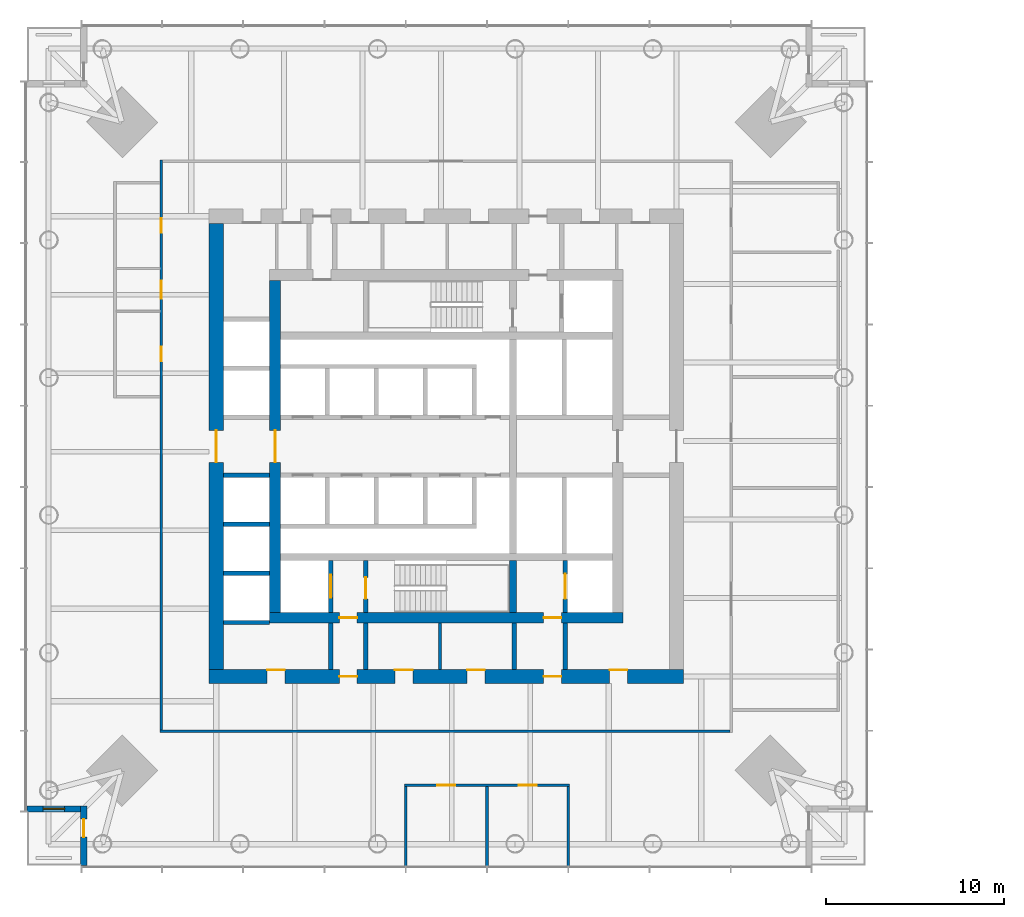
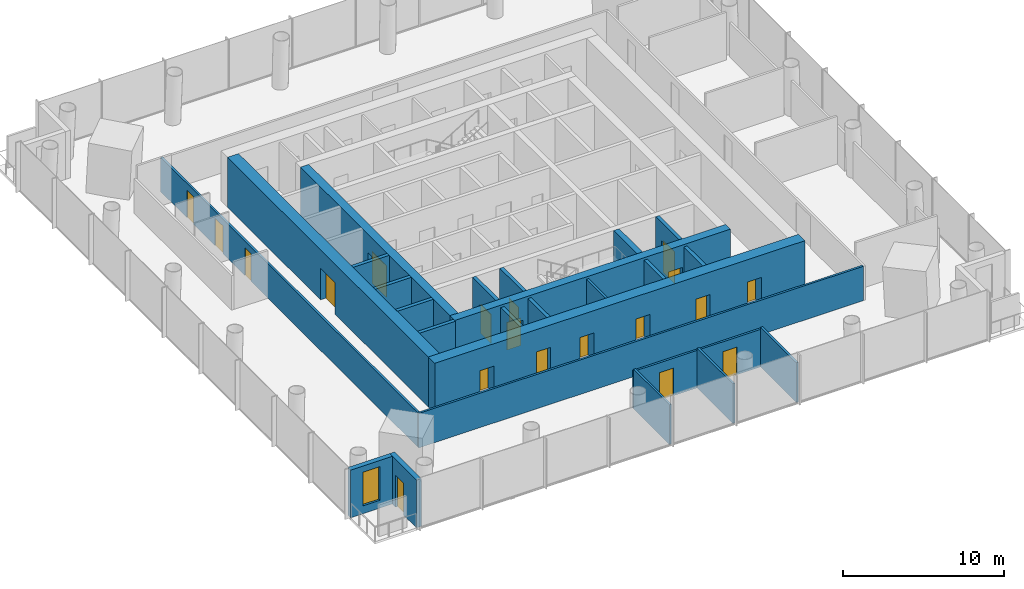
# One storey, part 9 of 18: 25 walls, 19 doors, 1 window, 20 openings.
"""IFC4 building model written with IfcOpenShell, lengths in metres."""

from ifc_helpers import new_model, si_unit, direction, frame, frame_2d, origin, place, context, subcontext, project, spatial, rectangle, extrude, material, layer, layer_set, type_object, element, fill, save


model = new_model("IFC4")

# Units and contexts
model_context = context("Model", 3, precision=1e-05, world=origin(), true_north=direction((0.0, 1.0)))
body_context = subcontext(model_context, "Body", "Model", "MODEL_VIEW")
ifc_project = project(units=[si_unit("LENGTHUNIT", "METRE"), si_unit("AREAUNIT", "SQUARE_METRE"), si_unit("VOLUMEUNIT", "CUBIC_METRE"), si_unit("PLANEANGLEUNIT", "RADIAN"), si_unit("MASSUNIT", "GRAM", prefix="KILO")], contexts=[model_context])

# Site, building, storey
site_placement = place(None, origin())
site = spatial("IfcSite", under=ifc_project, at=site_placement, CompositionType="ELEMENT")
building_placement = place(site_placement, origin())
building = spatial("IfcBuilding", under=site, at=building_placement, Name="Ostroluk Exchange", CompositionType="ELEMENT")
storey_placement = place(building_placement, frame((0.0, 0.0, 74.199951171875)))
storey = spatial("IfcBuildingStorey", under=building, at=storey_placement, Name="L18", CompositionType="ELEMENT", Elevation=74.199951171875)

# Walls
ifc_material_1 = material(Name="Concrete blockwork", Category="masonry")
ifc_layer_1 = layer(ifc_material_1, 0.14990234375)
ifc_layer_set_1 = layer_set([ifc_layer_1], Name="Blockwork plant room wall 150")
wall_type_1 = type_object("IfcWallType", Name="Blockwork plant room wall 150", PredefinedType="SOLIDWALL", material=ifc_layer_set_1)
wall_1_placement = place(storey_placement, frame((44.639892578125, 33.5, 0.0), z_axis=(0.0, 0.0, 1.0), x_axis=(0.0, 1.0, 0.0)))
element("IfcWall", 1, at=wall_1_placement, inside=storey, type_object=wall_type_1, Name="Core room wall", PredefinedType="SOLIDWALL", context=body_context, shape_type="SweptSolid", body=[
    extrude(rectangle(XDim=2.60009765625, YDim=0.14990234375, at=frame_2d((1.300048828125, 0.0))), origin(), (0.0, 0.0, 1.0), 3.6201171875),
])
ifc_material_2 = material(Name="Concrete blockwork", Category="masonry")
ifc_layer_2 = layer(ifc_material_2, 0.25)
ifc_layer_set_2 = layer_set([ifc_layer_2], Name="Blockwork stair enclosure wall 250")
wall_type_2 = type_object("IfcWallType", Name="Blockwork stair enclosure wall 250", PredefinedType="SOLIDWALL", material=ifc_layer_set_2)
for number, where, z_axis, x_axis, name in (
    (2, (38.52490234375, 33.5, 0.0), (0.0, 0.0, 1.0), (0.0, 1.0, 0.0), "Fire lobby enclosure wall"),
    (3, (40.47509765625, 33.5, 0.0), (0.0, 0.0, 1.0), (0.0, 1.0, 0.0), "Fire lobby enclosure wall"),
    (4, (48.804931640625, 33.5, 0.0), (0.0, 0.0, 1.0), (0.0, 1.0, 0.0), "Service lobby enclosure wall"),
    (5, (51.675048828125, 33.5, 0.0), (0.0, 0.0, 1.0), (0.0, 1.0, 0.0), "Service lobby enclosure wall"),
):
    element("IfcWall", number, at=place(storey_placement, frame(where, z_axis=z_axis, x_axis=x_axis)), inside=storey, type_object=wall_type_2, Name=name, PredefinedType="SOLIDWALL", context=body_context, shape_type="SweptSolid", body=[
        extrude(rectangle(XDim=2.60009765625, YDim=0.25, at=frame_2d((1.300048828125, 0.0))), origin(), (0.0, 0.0, 1.0), 3.6201171875),
    ])
ifc_material_3 = material(Name="Concrete C50/60", Category="concrete")
ifc_layer_3 = layer(ifc_material_3, 0.39990234375)
ifc_layer_set_3 = layer_set([ifc_layer_3], Name="Core cross wall 400 C50/60")
wall_type_3 = type_object("IfcWallType", Name="Core cross wall 400 C50/60", PredefinedType="SHEAR", material=ifc_layer_set_3)
wall_2_placement = place(storey_placement, frame((48.72998046875, 36.699951171875, 0.0), z_axis=(0.0, 0.0, 1.0), x_axis=(0.0, 1.0, 0.0)))
element("IfcWall", 6, at=wall_2_placement, inside=storey, type_object=wall_type_3, Name="T1 core wall YE1", PredefinedType="SHEAR", context=body_context, shape_type="SweptSolid", body=[
    extrude(rectangle(XDim=2.900146484375, YDim=0.39990234375, at=frame_2d((1.4501953125, 0.0))), origin(), (0.0, 0.0, 1.0), 3.800048828125),
])

# Wall, opening, door
ifc_material_4 = material(Name="Concrete C40/50", Category="concrete")
ifc_layer_4 = layer(ifc_material_4, 0.25)
ifc_layer_set_4 = layer_set([ifc_layer_4], Name="Core shaft wall 250")
wall_type_4 = type_object("IfcWallType", Name="Core shaft wall 250", PredefinedType="SHEAR", material=ifc_layer_set_4)
wall_3_placement = place(storey_placement, frame((38.52490234375, 36.699951171875, 0.0), z_axis=(0.0, 0.0, 1.0), x_axis=(0.0, 1.0, 0.0)))
wall_3 = element("IfcWall", 7, at=wall_3_placement, inside=storey, type_object=wall_type_4, Name="Firefighting lift shaft wall", PredefinedType="SHEAR", context=body_context, shape_type="SweptSolid", body=[
    extrude(rectangle(XDim=2.900146484375, YDim=0.25, at=frame_2d((1.4501953125, 0.0))), origin(), (0.0, 0.0, 1.0), 3.800048828125),
])
opening_1_placement = place(wall_3_placement, frame((0.800048828125, 0.0, 0.0)))
opening_1 = element("IfcOpeningElement", 8, at=opening_1_placement, cuts=wall_3, Name="Opening LD2", PredefinedType="OPENING", context=body_context, shape_type="SweptSolid", body=[
    extrude(rectangle(XDim=1.300048828125, YDim=2.199951171875, at=frame_2d((0.64990234375, 1.10009765625))), frame((0.0, 0.135009765625, 0.0), z_axis=(0.0, -1.0, 0.0), x_axis=(1.0, 0.0, 0.0)), (0.0, 0.0, 1.0), 0.27001953125),
])
ifc_material_5 = material(Name="Stainless steel", Category="steel")
door_type_1 = type_object("IfcDoorType", Name="Lift landing door E 60 1300 x 2200", OperationType="DOUBLE_DOOR_SLIDING", PredefinedType="DOOR", material=ifc_material_5)
door_1_placement = place(opening_1_placement, origin())
door_1 = element("IfcDoor", 9, at=door_1_placement, inside=storey, type_object=door_type_1, Name="Lift FL1 landing door", OperationType="DOUBLE_DOOR_SLIDING", OverallHeight=2.199951171875, OverallWidth=1.300048828125, PredefinedType="DOOR", context=body_context, shape_type="SweptSolid", body=[
    extrude(rectangle(XDim=1.300048828125, YDim=2.199951171875, at=frame_2d((0.64990234375, 1.10009765625))), frame((0.0, 0.02490234375, 0.0), z_axis=(0.0, -1.0, 0.0), x_axis=(1.0, 0.0, 0.0)), (0.0, 0.0, 1.0), 0.050048828125),
])
fill(opening_1, door_1)

wall_4_placement = place(storey_placement, frame((40.47509765625, 36.699951171875, 0.0), z_axis=(0.0, 0.0, 1.0), x_axis=(0.0, 1.0, 0.0)))
wall_4 = element("IfcWall", 10, at=wall_4_placement, inside=storey, type_object=wall_type_4, Name="Stair shaft wall", PredefinedType="SHEAR", context=body_context, shape_type="SweptSolid", body=[
    extrude(rectangle(XDim=2.900146484375, YDim=0.25, at=frame_2d((1.4501953125, 0.0))), origin(), (0.0, 0.0, 1.0), 3.800048828125),
])
opening_2_placement = place(wall_4_placement, frame((0.75, 0.0, 0.0)))
opening_2 = element("IfcOpeningElement", 11, at=opening_2_placement, cuts=wall_4, Name="Opening FD60S", PredefinedType="OPENING", context=body_context, shape_type="SweptSolid", body=[
    extrude(rectangle(XDim=1.199951171875, YDim=2.10009765625, at=frame_2d((0.60009765625, 1.050048828125))), frame((0.0, 0.135009765625, 0.0), z_axis=(0.0, -1.0, 0.0), x_axis=(1.0, 0.0, 0.0)), (0.0, 0.0, 1.0), 0.27001953125),
])
ifc_material_6 = material(Name="Steel", Category="steel")
door_type_2 = type_object("IfcDoorType", Name="Stair door EI 60 1200 x 2100", OperationType="SINGLE_SWING_LEFT", PredefinedType="DOOR", material=ifc_material_6)
door_2_placement = place(opening_2_placement, origin())
door_2 = element("IfcDoor", 12, at=door_2_placement, inside=storey, type_object=door_type_2, Name="Stair T1-S1 door", OperationType="SINGLE_SWING_LEFT", OverallHeight=2.10009765625, OverallWidth=1.199951171875, PredefinedType="DOOR", context=body_context, shape_type="SweptSolid", body=[
    extrude(rectangle(XDim=1.199951171875, YDim=2.10009765625, at=frame_2d((0.60009765625, 1.050048828125))), frame((0.0, 0.02490234375, 0.0), z_axis=(0.0, -1.0, 0.0), x_axis=(1.0, 0.0, 0.0)), (0.0, 0.0, 1.0), 0.050048828125),
])
fill(opening_2, door_2)

wall_5_placement = place(storey_placement, frame((51.675048828125, 36.699951171875, 0.0), z_axis=(0.0, 0.0, 1.0), x_axis=(0.0, 1.0, 0.0)))
wall_5 = element("IfcWall", 13, at=wall_5_placement, inside=storey, type_object=wall_type_4, Name="Service lift shaft wall", PredefinedType="SHEAR", context=body_context, shape_type="SweptSolid", body=[
    extrude(rectangle(XDim=2.900146484375, YDim=0.25, at=frame_2d((1.4501953125, 0.0))), origin(), (0.0, 0.0, 1.0), 3.800048828125),
])
opening_3_placement = place(wall_5_placement, frame((0.75, 0.0, 0.0)))
opening_3 = element("IfcOpeningElement", 14, at=opening_3_placement, cuts=wall_5, Name="Opening LD3", PredefinedType="OPENING", context=body_context, shape_type="SweptSolid", body=[
    extrude(rectangle(XDim=1.39990234375, YDim=2.39990234375, at=frame_2d((0.699951171875, 1.199951171875))), frame((0.0, 0.135009765625, 0.0), z_axis=(0.0, -1.0, 0.0), x_axis=(1.0, 0.0, 0.0)), (0.0, 0.0, 1.0), 0.27001953125),
])
ifc_material_7 = material(Name="Stainless steel", Category="steel")
door_type_3 = type_object("IfcDoorType", Name="Goods lift landing door E 60 1400 x 2400", OperationType="DOUBLE_DOOR_SLIDING", PredefinedType="DOOR", material=ifc_material_7)
door_3_placement = place(opening_3_placement, origin())
door_3 = element("IfcDoor", 15, at=door_3_placement, inside=storey, type_object=door_type_3, Name="Lift SL1 landing door", OperationType="DOUBLE_DOOR_SLIDING", OverallHeight=2.39990234375, OverallWidth=1.39990234375, PredefinedType="DOOR", context=body_context, shape_type="SweptSolid", body=[
    extrude(rectangle(XDim=1.39990234375, YDim=2.39990234375, at=frame_2d((0.699951171875, 1.199951171875))), frame((0.0, 0.02490234375, 0.0), z_axis=(0.0, -1.0, 0.0), x_axis=(1.0, 0.0, 0.0)), (0.0, 0.0, 1.0), 0.050048828125),
])
fill(opening_3, door_3)

# Walls
for number, where, z_axis, x_axis, name in (
    (16, (32.5, 36.125, 0.0), (0.0, 0.0, 1.0), (1.0, 0.0, 0.0), "Lift shaft wall"),
    (17, (32.5, 38.875, 0.0), (0.0, 0.0, 1.0), (1.0, 0.0, 0.0), "Lift shaft wall"),
    (18, (32.5, 41.625, 0.0), (0.0, 0.0, 1.0), (1.0, 0.0, 0.0), "Lift shaft wall"),
    (19, (32.5, 44.375, 0.0), (0.0, 0.0, 1.0), (1.0, 0.0, 0.0), "Lift shaft wall"),
):
    element("IfcWall", number, at=place(storey_placement, frame(where, z_axis=z_axis, x_axis=x_axis)), inside=storey, type_object=wall_type_4, Name=name, PredefinedType="SHEAR", context=body_context, shape_type="SweptSolid", body=[
        extrude(rectangle(XDim=2.60009765625, YDim=0.25, at=frame_2d((1.300048828125, 0.0))), origin(), (0.0, 0.0, 1.0), 3.800048828125),
    ])

# Wall, openings, doors
ifc_material_8 = material(Name="Concrete C50/60", Category="concrete")
ifc_layer_5 = layer(ifc_material_8, 0.60009765625)
ifc_layer_set_5 = layer_set([ifc_layer_5], Name="Core wall 600 C50/60")
wall_type_5 = type_object("IfcWallType", Name="Core wall 600 C50/60", PredefinedType="SHEAR", material=ifc_layer_set_5)
wall_6_placement = place(storey_placement, frame((35.10009765625, 36.39990234375, 0.0), z_axis=(0.0, 0.0, 1.0), x_axis=(1.0, 0.0, 0.0)))
wall_6 = element("IfcWall", 20, at=wall_6_placement, inside=storey, type_object=wall_type_5, Name="T1 core wall S", PredefinedType="SHEAR", context=body_context, shape_type="SweptSolid", body=[
    extrude(rectangle(XDim=19.7998046875, YDim=0.60009765625, at=frame_2d((9.89990234375, 0.0))), origin(), (0.0, 0.0, 1.0), 3.800048828125),
])
opening_4_placement = place(wall_6_placement, frame((3.89990234375, 0.0, 0.0)))
opening_4 = element("IfcOpeningElement", 21, at=opening_4_placement, cuts=wall_6, Name="Opening FD60", PredefinedType="OPENING", context=body_context, shape_type="SweptSolid", body=[
    extrude(rectangle(XDim=1.0, YDim=2.10009765625, at=frame_2d((0.5, 1.050048828125))), frame((0.0, 0.31005859375, 0.0), z_axis=(0.0, -1.0, 0.0), x_axis=(1.0, 0.0, 0.0)), (0.0, 0.0, 1.0), 0.6201171875),
])
opening_5_placement = place(wall_6_placement, frame((15.35009765625, 0.0, 0.0)))
opening_5 = element("IfcOpeningElement", 22, at=opening_5_placement, cuts=wall_6, Name="Opening FD60", PredefinedType="OPENING", context=body_context, shape_type="SweptSolid", body=[
    extrude(rectangle(XDim=1.0, YDim=2.10009765625, at=frame_2d((0.5, 1.050048828125))), frame((0.0, 0.31005859375, 0.0), z_axis=(0.0, -1.0, 0.0), x_axis=(1.0, 0.0, 0.0)), (0.0, 0.0, 1.0), 0.6201171875),
])
ifc_material_9 = material(Name="Steel", Category="steel")
door_type_4 = type_object("IfcDoorType", Name="Fire door EI 60 1000 x 2100", OperationType="SINGLE_SWING_LEFT", PredefinedType="DOOR", material=ifc_material_9)
door_4_placement = place(opening_4_placement, origin())
door_4 = element("IfcDoor", 23, at=door_4_placement, inside=storey, type_object=door_type_4, Name="Firefighting lobby door", OperationType="SINGLE_SWING_LEFT", OverallHeight=2.10009765625, OverallWidth=1.0, PredefinedType="DOOR", context=body_context, shape_type="SweptSolid", body=[
    extrude(rectangle(XDim=1.0, YDim=2.10009765625, at=frame_2d((0.5, 1.050048828125))), frame((0.0, 0.02490234375, 0.0), z_axis=(0.0, -1.0, 0.0), x_axis=(1.0, 0.0, 0.0)), (0.0, 0.0, 1.0), 0.050048828125),
])
fill(opening_4, door_4)
door_5_placement = place(opening_5_placement, origin())
door_5 = element("IfcDoor", 24, at=door_5_placement, inside=storey, type_object=door_type_4, Name="Service lobby door", OperationType="SINGLE_SWING_RIGHT", OverallHeight=2.10009765625, OverallWidth=1.0, PredefinedType="DOOR", context=body_context, shape_type="SweptSolid", body=[
    extrude(rectangle(XDim=1.0, YDim=2.10009765625, at=frame_2d((0.5, 1.050048828125))), frame((0.0, 0.02490234375, 0.0), z_axis=(0.0, -1.0, 0.0), x_axis=(1.0, 0.0, 0.0)), (0.0, 0.0, 1.0), 0.050048828125),
])
fill(opening_5, door_5)

# Wall, opening, door
wall_7_placement = place(storey_placement, frame((35.39990234375, 36.699951171875, 0.0), z_axis=(0.0, 0.0, 1.0), x_axis=(0.0, 1.0, 0.0)))
wall_7 = element("IfcWall", 25, at=wall_7_placement, inside=storey, type_object=wall_type_5, Name="T1 core wall W", PredefinedType="SHEAR", context=body_context, shape_type="SweptSolid", body=[
    extrude(rectangle(XDim=18.60009765625, YDim=0.60009765625, at=frame_2d((9.300048828125, 0.0))), origin(), (0.0, 0.0, 1.0), 3.800048828125),
])
opening_6_placement = place(wall_7_placement, frame((8.39990234375, 0.0, 0.0)))
opening_6 = element("IfcOpeningElement", 26, at=opening_6_placement, cuts=wall_7, Name="Opening FD30D", PredefinedType="OPENING", context=body_context, shape_type="SweptSolid", body=[
    extrude(rectangle(XDim=1.800048828125, YDim=2.39990234375, at=frame_2d((0.89990234375, 1.199951171875))), frame((0.0, 0.31005859375, 0.0), z_axis=(0.0, -1.0, 0.0), x_axis=(1.0, 0.0, 0.0)), (0.0, 0.0, 1.0), 0.6201171875),
])
ifc_material_10 = material(Name="Timber", Category="wood")
door_type_5 = type_object("IfcDoorType", Name="Lobby double door EI 30 1800 x 2400", OperationType="DOUBLE_DOOR_SINGLE_SWING", PredefinedType="DOOR", material=ifc_material_10)
door_6_placement = place(opening_6_placement, origin())
door_6 = element("IfcDoor", 27, at=door_6_placement, inside=storey, type_object=door_type_5, Name="Lift lobby doors", OperationType="DOUBLE_DOOR_SINGLE_SWING", OverallHeight=2.39990234375, OverallWidth=1.800048828125, PredefinedType="DOOR", context=body_context, shape_type="SweptSolid", body=[
    extrude(rectangle(XDim=1.800048828125, YDim=2.39990234375, at=frame_2d((0.89990234375, 1.199951171875))), frame((0.0, 0.02490234375, 0.0), z_axis=(0.0, -1.0, 0.0), x_axis=(1.0, 0.0, 0.0)), (0.0, 0.0, 1.0), 0.050048828125),
])
fill(opening_6, door_6)

# Wall, openings, doors
ifc_material_11 = material(Name="Concrete C50/60", Category="concrete")
ifc_layer_6 = layer(ifc_material_11, 0.800048828125)
ifc_layer_set_6 = layer_set([ifc_layer_6], Name="Core wall 800 C50/60")
wall_type_6 = type_object("IfcWallType", Name="Core wall 800 C50/60", PredefinedType="SHEAR", material=ifc_layer_set_6)
wall_8_placement = place(storey_placement, frame((31.699951171875, 33.10009765625, 0.0), z_axis=(0.0, 0.0, 1.0), x_axis=(1.0, 0.0, 0.0)))
wall_8 = element("IfcWall", 28, at=wall_8_placement, inside=storey, type_object=wall_type_6, Name="T1 core wall RS", PredefinedType="SHEAR", context=body_context, shape_type="SweptSolid", body=[
    extrude(rectangle(XDim=26.60009765625, YDim=0.800048828125, at=frame_2d((13.300048828125, 0.0))), origin(), (0.0, 0.0, 1.0), 3.800048828125),
])
opening_7_placement = place(wall_8_placement, frame((7.300048828125, 0.0, 0.0)))
opening_7 = element("IfcOpeningElement", 29, at=opening_7_placement, cuts=wall_8, Name="Opening FD60", PredefinedType="OPENING", context=body_context, shape_type="SweptSolid", body=[
    extrude(rectangle(XDim=1.0, YDim=2.10009765625, at=frame_2d((0.5, 1.050048828125))), frame((0.0, 0.409912109375, 0.0), z_axis=(0.0, -1.0, 0.0), x_axis=(1.0, 0.0, 0.0)), (0.0, 0.0, 1.0), 0.820068359375),
])
opening_8_placement = place(wall_8_placement, frame((18.75, 0.0, 0.0)))
opening_8 = element("IfcOpeningElement", 30, at=opening_8_placement, cuts=wall_8, Name="Opening FD60", PredefinedType="OPENING", context=body_context, shape_type="SweptSolid", body=[
    extrude(rectangle(XDim=1.0, YDim=2.10009765625, at=frame_2d((0.5, 1.050048828125))), frame((0.0, 0.409912109375, 0.0), z_axis=(0.0, -1.0, 0.0), x_axis=(1.0, 0.0, 0.0)), (0.0, 0.0, 1.0), 0.820068359375),
])
opening_9_placement = place(wall_8_placement, frame((3.25, 0.0, 0.0)))
opening_9 = element("IfcOpeningElement", 31, at=opening_9_placement, cuts=wall_8, Name="Opening FD60", PredefinedType="OPENING", context=body_context, shape_type="SweptSolid", body=[
    extrude(rectangle(XDim=1.0, YDim=2.10009765625, at=frame_2d((0.5, 1.050048828125))), frame((0.0, 0.409912109375, 0.0), z_axis=(0.0, -1.0, 0.0), x_axis=(1.0, 0.0, 0.0)), (0.0, 0.0, 1.0), 0.820068359375),
])
opening_10_placement = place(wall_8_placement, frame((10.419921875, 0.0, 0.0)))
opening_10 = element("IfcOpeningElement", 32, at=opening_10_placement, cuts=wall_8, Name="Opening FD60", PredefinedType="OPENING", context=body_context, shape_type="SweptSolid", body=[
    extrude(rectangle(XDim=1.0, YDim=2.10009765625, at=frame_2d((0.5, 1.050048828125))), frame((0.0, 0.409912109375, 0.0), z_axis=(0.0, -1.0, 0.0), x_axis=(1.0, 0.0, 0.0)), (0.0, 0.0, 1.0), 0.820068359375),
])
opening_11_placement = place(wall_8_placement, frame((14.4599609375, 0.0, 0.0)))
opening_11 = element("IfcOpeningElement", 33, at=opening_11_placement, cuts=wall_8, Name="Opening FD60", PredefinedType="OPENING", context=body_context, shape_type="SweptSolid", body=[
    extrude(rectangle(XDim=1.0, YDim=2.10009765625, at=frame_2d((0.5, 1.050048828125))), frame((0.0, 0.409912109375, 0.0), z_axis=(0.0, -1.0, 0.0), x_axis=(1.0, 0.0, 0.0)), (0.0, 0.0, 1.0), 0.820068359375),
])
opening_12_placement = place(wall_8_placement, frame((22.449951171875, 0.0, 0.0)))
opening_12 = element("IfcOpeningElement", 34, at=opening_12_placement, cuts=wall_8, Name="Opening FD60", PredefinedType="OPENING", context=body_context, shape_type="SweptSolid", body=[
    extrude(rectangle(XDim=1.0, YDim=2.10009765625, at=frame_2d((0.5, 1.050048828125))), frame((0.0, 0.409912109375, 0.0), z_axis=(0.0, -1.0, 0.0), x_axis=(1.0, 0.0, 0.0)), (0.0, 0.0, 1.0), 0.820068359375),
])
door_7_placement = place(opening_7_placement, origin())
door_7 = element("IfcDoor", 35, at=door_7_placement, inside=storey, type_object=door_type_4, Name="Firefighting lobby door", OperationType="SINGLE_SWING_LEFT", OverallHeight=2.10009765625, OverallWidth=1.0, PredefinedType="DOOR", context=body_context, shape_type="SweptSolid", body=[
    extrude(rectangle(XDim=1.0, YDim=2.10009765625, at=frame_2d((0.5, 1.050048828125))), frame((0.0, 0.02490234375, 0.0), z_axis=(0.0, -1.0, 0.0), x_axis=(1.0, 0.0, 0.0)), (0.0, 0.0, 1.0), 0.050048828125),
])
fill(opening_7, door_7)
door_8_placement = place(opening_8_placement, origin())
door_8 = element("IfcDoor", 36, at=door_8_placement, inside=storey, type_object=door_type_4, Name="Service lobby door", OperationType="SINGLE_SWING_RIGHT", OverallHeight=2.10009765625, OverallWidth=1.0, PredefinedType="DOOR", context=body_context, shape_type="SweptSolid", body=[
    extrude(rectangle(XDim=1.0, YDim=2.10009765625, at=frame_2d((0.5, 1.050048828125))), frame((0.0, 0.02490234375, 0.0), z_axis=(0.0, -1.0, 0.0), x_axis=(1.0, 0.0, 0.0)), (0.0, 0.0, 1.0), 0.050048828125),
])
fill(opening_8, door_8)
door_9_placement = place(opening_9_placement, origin())
door_9 = element("IfcDoor", 37, at=door_9_placement, inside=storey, type_object=door_type_4, Name="Archive door", OperationType="SINGLE_SWING_LEFT", OverallHeight=2.10009765625, OverallWidth=1.0, PredefinedType="DOOR", context=body_context, shape_type="SweptSolid", body=[
    extrude(rectangle(XDim=1.0, YDim=2.10009765625, at=frame_2d((0.5, 1.050048828125))), frame((0.0, 0.39013671875, 0.0), z_axis=(0.0, -1.0, 0.0), x_axis=(1.0, 0.0, 0.0)), (0.0, 0.0, 1.0), 0.050048828125),
])
fill(opening_9, door_9)
door_10_placement = place(opening_10_placement, origin())
door_10 = element("IfcDoor", 38, at=door_10_placement, inside=storey, type_object=door_type_4, Name="Tea point door", OperationType="SINGLE_SWING_LEFT", OverallHeight=2.10009765625, OverallWidth=1.0, PredefinedType="DOOR", context=body_context, shape_type="SweptSolid", body=[
    extrude(rectangle(XDim=1.0, YDim=2.10009765625, at=frame_2d((0.5, 1.050048828125))), frame((0.0, 0.39013671875, 0.0), z_axis=(0.0, -1.0, 0.0), x_axis=(1.0, 0.0, 0.0)), (0.0, 0.0, 1.0), 0.050048828125),
])
fill(opening_10, door_10)
door_11_placement = place(opening_11_placement, origin())
door_11 = element("IfcDoor", 39, at=door_11_placement, inside=storey, type_object=door_type_4, Name="Print and post room door", OperationType="SINGLE_SWING_RIGHT", OverallHeight=2.10009765625, OverallWidth=1.0, PredefinedType="DOOR", context=body_context, shape_type="SweptSolid", body=[
    extrude(rectangle(XDim=1.0, YDim=2.10009765625, at=frame_2d((0.5, 1.050048828125))), frame((0.0, 0.39013671875, 0.0), z_axis=(0.0, -1.0, 0.0), x_axis=(1.0, 0.0, 0.0)), (0.0, 0.0, 1.0), 0.050048828125),
])
fill(opening_11, door_11)
door_12_placement = place(opening_12_placement, origin())
door_12 = element("IfcDoor", 40, at=door_12_placement, inside=storey, type_object=door_type_4, Name="Tenant IT room door", OperationType="SINGLE_SWING_RIGHT", OverallHeight=2.10009765625, OverallWidth=1.0, PredefinedType="DOOR", context=body_context, shape_type="SweptSolid", body=[
    extrude(rectangle(XDim=1.0, YDim=2.10009765625, at=frame_2d((0.5, 1.050048828125))), frame((0.0, 0.39013671875, 0.0), z_axis=(0.0, -1.0, 0.0), x_axis=(1.0, 0.0, 0.0)), (0.0, 0.0, 1.0), 0.050048828125),
])
fill(opening_12, door_12)

# Wall, opening, door
wall_9_placement = place(storey_placement, frame((32.10009765625, 33.5, 0.0), z_axis=(0.0, 0.0, 1.0), x_axis=(0.0, 1.0, 0.0)))
wall_9 = element("IfcWall", 41, at=wall_9_placement, inside=storey, type_object=wall_type_6, Name="T1 core wall RW", PredefinedType="SHEAR", context=body_context, shape_type="SweptSolid", body=[
    extrude(rectangle(XDim=25.0, YDim=0.800048828125, at=frame_2d((12.5, 0.0))), origin(), (0.0, 0.0, 1.0), 3.800048828125),
])
opening_13_placement = place(wall_9_placement, frame((11.60009765625, 0.0, 0.0)))
opening_13 = element("IfcOpeningElement", 42, at=opening_13_placement, cuts=wall_9, Name="Opening FD30D", PredefinedType="OPENING", context=body_context, shape_type="SweptSolid", body=[
    extrude(rectangle(XDim=1.800048828125, YDim=2.39990234375, at=frame_2d((0.89990234375, 1.199951171875))), frame((0.0, 0.409912109375, 0.0), z_axis=(0.0, -1.0, 0.0), x_axis=(1.0, 0.0, 0.0)), (0.0, 0.0, 1.0), 0.820068359375),
])
door_13_placement = place(opening_13_placement, origin())
door_13 = element("IfcDoor", 43, at=door_13_placement, inside=storey, type_object=door_type_5, Name="Lift lobby doors", OperationType="DOUBLE_DOOR_SINGLE_SWING", OverallHeight=2.39990234375, OverallWidth=1.800048828125, PredefinedType="DOOR", context=body_context, shape_type="SweptSolid", body=[
    extrude(rectangle(XDim=1.800048828125, YDim=2.39990234375, at=frame_2d((0.89990234375, 1.199951171875))), frame((0.0, 0.02490234375, 0.0), z_axis=(0.0, -1.0, 0.0), x_axis=(1.0, 0.0, 0.0)), (0.0, 0.0, 1.0), 0.050048828125),
])
fill(opening_13, door_13)

ifc_material_12 = material(Name="Limestone", Category="masonry")
ifc_layer_7 = layer(ifc_material_12, 0.35009765625)
ifc_layer_set_7 = layer_set([ifc_layer_7], Name="Limestone facade wall 350")
wall_type_7 = type_object("IfcWallType", Name="Limestone facade wall 350", PredefinedType="SOLIDWALL", material=ifc_layer_set_7)
wall_10_placement = place(storey_placement, frame((24.675048828125, 22.5, 0.0), z_axis=(0.0, 0.0, 1.0), x_axis=(0.0, 1.0, 0.0)))
wall_10 = element("IfcWall", 44, at=wall_10_placement, inside=storey, type_object=wall_type_7, Name="Office tower SW corner wall L18 a", PredefinedType="SOLIDWALL", context=body_context, shape_type="SweptSolid", body=[
    extrude(rectangle(XDim=3.35009765625, YDim=0.35009765625, at=frame_2d((1.675048828125, 0.0))), origin(), (0.0, 0.0, 1.0), 3.6201171875),
])
opening_14_placement = place(wall_10_placement, frame((1.60009765625, 0.0, 0.0)))
opening_14 = element("IfcOpeningElement", 45, at=opening_14_placement, cuts=wall_10, Name="Opening D-B1", PredefinedType="OPENING", context=body_context, shape_type="SweptSolid", body=[
    extrude(rectangle(XDim=1.0, YDim=2.39990234375, at=frame_2d((0.5, 1.199951171875))), frame((0.0, 0.18505859375, 0.0), z_axis=(0.0, -1.0, 0.0), x_axis=(1.0, 0.0, 0.0)), (0.0, 0.0, 1.0), 0.3701171875),
])
ifc_material_13 = material(Name="Bronze framed glazed door", Category="aluminium")
door_type_6 = type_object("IfcDoorType", Name="Balcony door 1000 x 2400", OperationType="SINGLE_SWING_LEFT", PredefinedType="DOOR", material=ifc_material_13)
door_14_placement = place(opening_14_placement, origin())
door_14 = element("IfcDoor", 46, at=door_14_placement, inside=storey, type_object=door_type_6, Name="Office tower SW balcony door L18", OperationType="SINGLE_SWING_RIGHT", OverallHeight=2.39990234375, OverallWidth=1.0, PredefinedType="DOOR", context=body_context, shape_type="SweptSolid", body=[
    extrude(rectangle(XDim=1.0, YDim=2.39990234375, at=frame_2d((0.5, 1.199951171875))), frame((0.0, 0.02490234375, 0.0), z_axis=(0.0, -1.0, 0.0), x_axis=(1.0, 0.0, 0.0)), (0.0, 0.0, 1.0), 0.050048828125),
])
fill(opening_14, door_14)

# Wall, opening, window
wall_11_placement = place(storey_placement, frame((24.5, 25.675048828125, 0.0), z_axis=(0.0, 0.0, 1.0), x_axis=(-1.0, 0.0, 0.0)))
wall_11 = element("IfcWall", 47, at=wall_11_placement, inside=storey, type_object=wall_type_7, Name="Office tower SW corner wall L18 b", PredefinedType="SOLIDWALL", context=body_context, shape_type="SweptSolid", body=[
    extrude(rectangle(XDim=3.0, YDim=0.35009765625, at=frame_2d((1.5, 0.0))), origin(), (0.0, 0.0, 1.0), 3.6201171875),
])
opening_15_placement = place(wall_11_placement, frame((0.89990234375, 0.0, 0.60009765625)))
opening_15 = element("IfcOpeningElement", 48, at=opening_15_placement, cuts=wall_11, Name="Opening WN-L1", PredefinedType="OPENING", context=body_context, shape_type="SweptSolid", body=[
    extrude(rectangle(XDim=1.199951171875, YDim=2.550048828125, at=frame_2d((0.60009765625, 1.27490234375))), frame((0.0, 0.18505859375, 0.0), z_axis=(0.0, -1.0, 0.0), x_axis=(1.0, 0.0, 0.0)), (0.0, 0.0, 1.0), 0.3701171875),
])
ifc_material_14 = material(Name="Laminated clear glass", Category="glass")
window_type = type_object("IfcWindowType", Name="Lancet window 1200 x 2550", PartitioningType="SINGLE_PANEL", PredefinedType="WINDOW", material=ifc_material_14)
window_placement = place(opening_15_placement, origin())
window = element("IfcWindow", 49, at=window_placement, inside=storey, type_object=window_type, Name="Office tower SW lancet window L18", OverallHeight=2.550048828125, OverallWidth=1.199951171875, PartitioningType="SINGLE_PANEL", PredefinedType="WINDOW", context=body_context, shape_type="SweptSolid", body=[
    extrude(rectangle(XDim=1.199951171875, YDim=2.550048828125, at=frame_2d((0.60009765625, 1.27490234375))), frame((0.0, 0.030029296875, 0.0), z_axis=(0.0, -1.0, 0.0), x_axis=(1.0, 0.0, 0.0)), (0.0, 0.0, 1.0), 0.06005859375),
])
fill(opening_15, window)

# Wall, openings, doors
ifc_material_15 = material(Name="Gypsum plasterboard partition", Category="gypsum")
ifc_layer_8 = layer(ifc_material_15, 0.14990234375)
ifc_layer_set_8 = layer_set([ifc_layer_8], Name="Plasterboard partition 150")
wall_type_8 = type_object("IfcWallType", Name="Plasterboard partition 150", PredefinedType="PARTITIONING", material=ifc_layer_set_8)
wall_12_placement = place(storey_placement, frame((42.647216796875, 27.0, 0.0), z_axis=(0.0, 0.0, 1.0), x_axis=(1.0, 0.0, 0.0)))
wall_12 = element("IfcWall", 50, at=wall_12_placement, inside=storey, type_object=wall_type_8, Name="Partition", PredefinedType="PARTITIONING", context=body_context, shape_type="SweptSolid", body=[
    extrude(rectangle(XDim=9.26123046875, YDim=0.14990234375, at=frame_2d((4.630615234375, 0.0))), origin(), (0.0, 0.0, 1.0), 2.85009765625),
])
opening_16_placement = place(wall_12_placement, frame((1.852783203125, 0.0, 0.0)))
opening_16 = element("IfcOpeningElement", 51, at=opening_16_placement, cuts=wall_12, Name="Opening D-03", PredefinedType="OPENING", context=body_context, shape_type="SweptSolid", body=[
    extrude(rectangle(XDim=1.0, YDim=2.10009765625, at=frame_2d((0.5, 1.050048828125))), frame((0.0, 0.0849609375, 0.0), z_axis=(0.0, -1.0, 0.0), x_axis=(1.0, 0.0, 0.0)), (0.0, 0.0, 1.0), 0.169921875),
])
opening_17_placement = place(wall_12_placement, frame((6.408447265625, 0.0, 0.0)))
opening_17 = element("IfcOpeningElement", 52, at=opening_17_placement, cuts=wall_12, Name="Opening D-03", PredefinedType="OPENING", context=body_context, shape_type="SweptSolid", body=[
    extrude(rectangle(XDim=1.0, YDim=2.10009765625, at=frame_2d((0.5, 1.050048828125))), frame((0.0, 0.0849609375, 0.0), z_axis=(0.0, -1.0, 0.0), x_axis=(1.0, 0.0, 0.0)), (0.0, 0.0, 1.0), 0.169921875),
])
ifc_material_16 = material(Name="Timber", Category="wood")
door_type_7 = type_object("IfcDoorType", Name="Internal door 1000 x 2100", OperationType="SINGLE_SWING_LEFT", PredefinedType="DOOR", material=ifc_material_16)
door_15_placement = place(opening_16_placement, origin())
door_15 = element("IfcDoor", 53, at=door_15_placement, inside=storey, type_object=door_type_7, Name="Office door", OperationType="SINGLE_SWING_LEFT", OverallHeight=2.10009765625, OverallWidth=1.0, PredefinedType="DOOR", context=body_context, shape_type="SweptSolid", body=[
    extrude(rectangle(XDim=1.0, YDim=2.10009765625, at=frame_2d((0.5, 1.050048828125))), frame((0.0, 0.02490234375, 0.0), z_axis=(0.0, -1.0, 0.0), x_axis=(1.0, 0.0, 0.0)), (0.0, 0.0, 1.0), 0.050048828125),
])
fill(opening_16, door_15)
door_16_placement = place(opening_17_placement, origin())
door_16 = element("IfcDoor", 54, at=door_16_placement, inside=storey, type_object=door_type_7, Name="Office door", OperationType="SINGLE_SWING_RIGHT", OverallHeight=2.10009765625, OverallWidth=1.0, PredefinedType="DOOR", context=body_context, shape_type="SweptSolid", body=[
    extrude(rectangle(XDim=1.0, YDim=2.10009765625, at=frame_2d((0.5, 1.050048828125))), frame((0.0, 0.02490234375, 0.0), z_axis=(0.0, -1.0, 0.0), x_axis=(1.0, 0.0, 0.0)), (0.0, 0.0, 1.0), 0.050048828125),
])
fill(opening_17, door_16)

# Walls
for number, where, z_axis, x_axis, name in (
    (55, (42.72216796875, 26.925048828125, 0.0), (0.0, 0.0, 1.0), (0.0, -1.0, 0.0), "Partition"),
    (56, (47.27783203125, 26.925048828125, 0.0), (0.0, 0.0, 1.0), (0.0, -1.0, 0.0), "Partition"),
    (57, (51.833251953125, 26.925048828125, 0.0), (0.0, 0.0, 1.0), (0.0, -1.0, 0.0), "Partition"),
):
    element("IfcWall", number, at=place(storey_placement, frame(where, z_axis=z_axis, x_axis=x_axis)), inside=storey, type_object=wall_type_8, Name=name, PredefinedType="PARTITIONING", context=body_context, shape_type="SweptSolid", body=[
        extrude(rectangle(XDim=4.465087890625, YDim=0.14990234375, at=frame_2d((2.232421875, 0.0))), origin(), (0.0, 0.0, 1.0), 3.02001953125),
    ])

# Wall, openings, doors
wall_13_placement = place(storey_placement, frame((29.02490234375, 62.050048828125, 0.0), z_axis=(0.0, 0.0, 1.0), x_axis=(0.0, -1.0, 0.0)))
wall_13 = element("IfcWall", 58, at=wall_13_placement, inside=storey, type_object=wall_type_8, Name="Corridor wall", PredefinedType="PARTITIONING", context=body_context, shape_type="SweptSolid", body=[
    extrude(rectangle(XDim=31.949951171875, YDim=0.14990234375, at=frame_2d((15.97509765625, 0.0))), origin(), (0.0, 0.0, 1.0), 2.612060546875),
])
opening_18_placement = place(wall_13_placement, frame((3.27490234375, 0.0, 0.0)))
opening_18 = element("IfcOpeningElement", 59, at=opening_18_placement, cuts=wall_13, Name="Opening D-06", PredefinedType="OPENING", context=body_context, shape_type="SweptSolid", body=[
    extrude(rectangle(XDim=0.800048828125, YDim=2.10009765625, at=frame_2d((0.39990234375, 1.050048828125))), frame((0.0, 0.0849609375, 0.0), z_axis=(0.0, -1.0, 0.0), x_axis=(1.0, 0.0, 0.0)), (0.0, 0.0, 1.0), 0.169921875),
])
opening_19_placement = place(wall_13_placement, frame((6.77490234375, 0.0, 0.0)))
opening_19 = element("IfcOpeningElement", 60, at=opening_19_placement, cuts=wall_13, Name="Opening D-03", PredefinedType="OPENING", context=body_context, shape_type="SweptSolid", body=[
    extrude(rectangle(XDim=1.0, YDim=2.10009765625, at=frame_2d((0.5, 1.050048828125))), frame((0.0, 0.0849609375, 0.0), z_axis=(0.0, -1.0, 0.0), x_axis=(1.0, 0.0, 0.0)), (0.0, 0.0, 1.0), 0.169921875),
])
opening_20_placement = place(wall_13_placement, frame((10.47509765625, 0.0, 0.0)))
opening_20 = element("IfcOpeningElement", 61, at=opening_20_placement, cuts=wall_13, Name="Opening D-06", PredefinedType="OPENING", context=body_context, shape_type="SweptSolid", body=[
    extrude(rectangle(XDim=0.800048828125, YDim=2.10009765625, at=frame_2d((0.39990234375, 1.050048828125))), frame((0.0, 0.0849609375, 0.0), z_axis=(0.0, -1.0, 0.0), x_axis=(1.0, 0.0, 0.0)), (0.0, 0.0, 1.0), 0.169921875),
])
door_17_placement = place(opening_19_placement, origin())
door_17 = element("IfcDoor", 62, at=door_17_placement, inside=storey, type_object=door_type_7, Name="Accessible WC door", OperationType="SINGLE_SWING_LEFT", OverallHeight=2.10009765625, OverallWidth=1.0, PredefinedType="DOOR", context=body_context, shape_type="SweptSolid", body=[
    extrude(rectangle(XDim=1.0, YDim=2.10009765625, at=frame_2d((0.5, 1.050048828125))), frame((0.0, 0.02490234375, 0.0), z_axis=(0.0, -1.0, 0.0), x_axis=(1.0, 0.0, 0.0)), (0.0, 0.0, 1.0), 0.050048828125),
])
fill(opening_19, door_17)
ifc_material_17 = material(Name="Timber", Category="wood")
door_type_8 = type_object("IfcDoorType", Name="Toilet door 800 x 2100", OperationType="SINGLE_SWING_LEFT", PredefinedType="DOOR", material=ifc_material_17)
door_18_placement = place(opening_18_placement, origin())
door_18 = element("IfcDoor", 63, at=door_18_placement, inside=storey, type_object=door_type_8, Name="WC female door", OperationType="SINGLE_SWING_LEFT", OverallHeight=2.10009765625, OverallWidth=0.800048828125, PredefinedType="DOOR", context=body_context, shape_type="SweptSolid", body=[
    extrude(rectangle(XDim=0.800048828125, YDim=2.10009765625, at=frame_2d((0.39990234375, 1.050048828125))), frame((0.0, 0.02490234375, 0.0), z_axis=(0.0, -1.0, 0.0), x_axis=(1.0, 0.0, 0.0)), (0.0, 0.0, 1.0), 0.050048828125),
])
fill(opening_18, door_18)
door_19_placement = place(opening_20_placement, origin())
door_19 = element("IfcDoor", 64, at=door_19_placement, inside=storey, type_object=door_type_8, Name="WC male door", OperationType="SINGLE_SWING_LEFT", OverallHeight=2.10009765625, OverallWidth=0.800048828125, PredefinedType="DOOR", context=body_context, shape_type="SweptSolid", body=[
    extrude(rectangle(XDim=0.800048828125, YDim=2.10009765625, at=frame_2d((0.39990234375, 1.050048828125))), frame((0.0, 0.02490234375, 0.0), z_axis=(0.0, -1.0, 0.0), x_axis=(1.0, 0.0, 0.0)), (0.0, 0.0, 1.0), 0.050048828125),
])
fill(opening_20, door_19)

# Wall
wall_14_placement = place(storey_placement, frame((28.949951171875, 30.02490234375, 0.0), z_axis=(0.0, 0.0, 1.0), x_axis=(1.0, 0.0, 0.0)))
element("IfcWall", 65, at=wall_14_placement, inside=storey, type_object=wall_type_8, Name="Corridor wall", PredefinedType="PARTITIONING", context=body_context, shape_type="SweptSolid", body=[
    extrude(rectangle(XDim=31.949951171875, YDim=0.14990234375, at=frame_2d((15.97509765625, 0.0))), origin(), (0.0, 0.0, 1.0), 2.612060546875),
])

save(model, "model.ifc")
